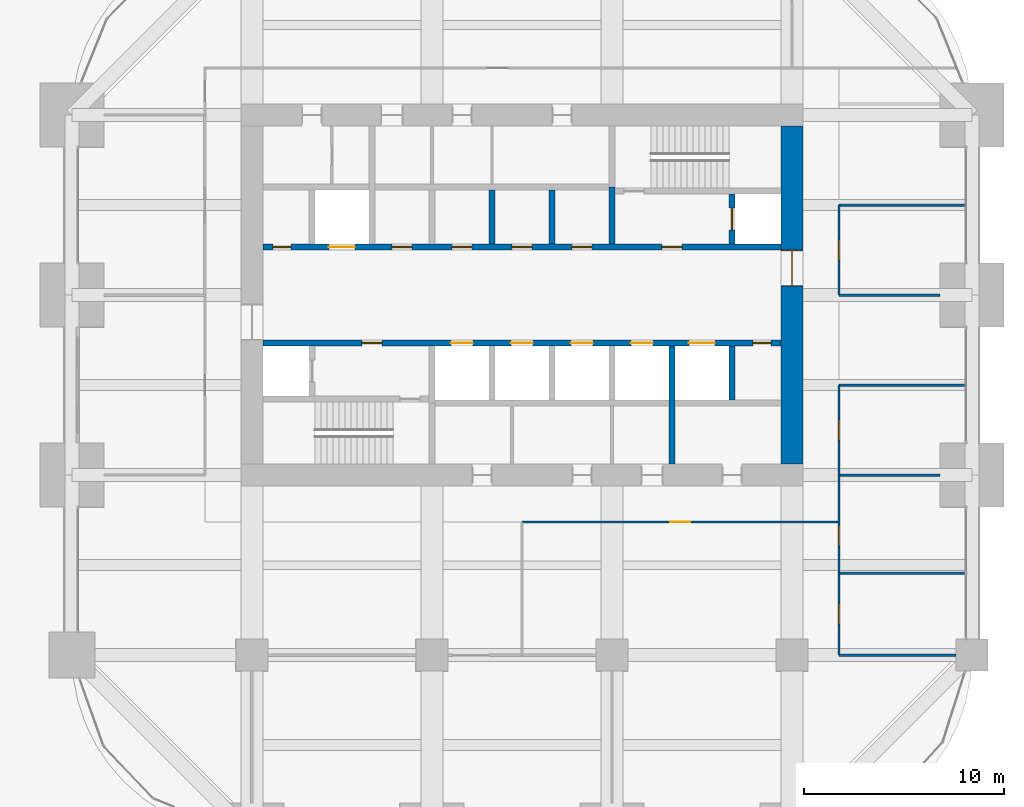
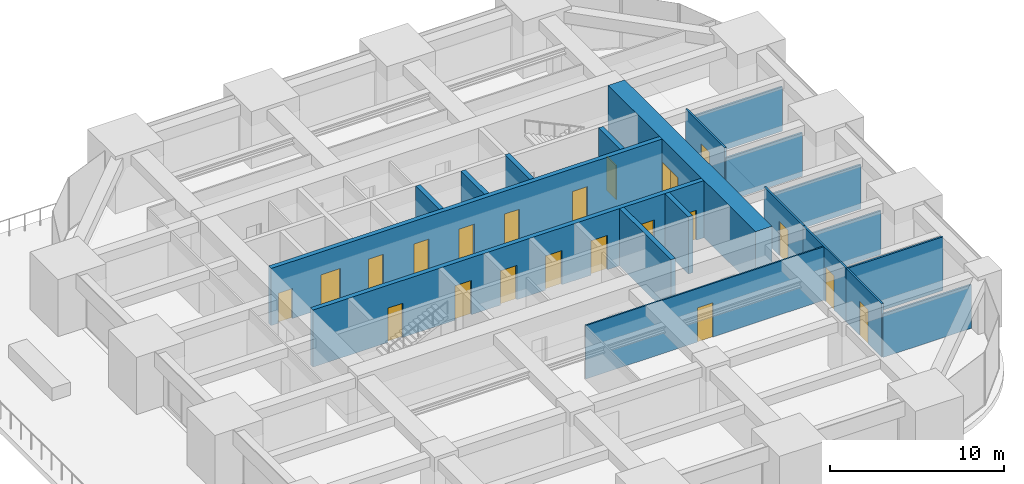
# One storey, part 37 of 40: 21 doors, 20 walls, 21 openings.
"""IFC4 building model written with IfcOpenShell, lengths in metres."""

from ifc_helpers import new_model, si_unit, direction, frame, frame_2d, origin, place, context, subcontext, project, spatial, rectangle, extrude, material, layer, layer_set, type_object, element, fill, save


model = new_model("IFC4")

# Units and contexts
model_context = context("Model", 3, precision=1e-05, world=origin(), true_north=direction((0.0, 1.0)))
body_context = subcontext(model_context, "Body", "Model", "MODEL_VIEW")
ifc_project = project(units=[si_unit("LENGTHUNIT", "METRE"), si_unit("AREAUNIT", "SQUARE_METRE"), si_unit("VOLUMEUNIT", "CUBIC_METRE"), si_unit("PLANEANGLEUNIT", "RADIAN"), si_unit("MASSUNIT", "GRAM", prefix="KILO")], contexts=[model_context])

# Site, building, storey
site_placement = place(None, origin())
site = spatial("IfcSite", under=ifc_project, at=site_placement, CompositionType="ELEMENT")
building_placement = place(site_placement, origin())
building = spatial("IfcBuilding", under=site, at=building_placement, Name="Zorevar Civic Tower", CompositionType="ELEMENT")
storey_placement = place(building_placement, frame((0.0, 0.0, 239.39990234375)))
storey = spatial("IfcBuildingStorey", under=building, at=storey_placement, Name="L58", CompositionType="ELEMENT", Elevation=239.39990234375)

# Wall, opening, door
ifc_material_1 = material(Name="Concrete C50/60", Category="concrete")
ifc_layer_1 = layer(ifc_material_1, 1.10009765625)
ifc_layer_set_1 = layer_set([ifc_layer_1], Name="Core wall 1100")
wall_type_1 = type_object("IfcWallType", Name="Core wall 1100", PredefinedType="SHEAR", material=ifc_layer_set_1)
wall_1_placement = place(storey_placement, frame((45.0, 18.550048828125, 0.0), z_axis=(0.0, 0.0, 1.0), x_axis=(0.0, 1.0, 0.0)))
wall_1 = element("IfcWall", 1, at=wall_1_placement, inside=storey, type_object=wall_type_1, Name="Core wall E L58", PredefinedType="SHEAR", context=body_context, shape_type="SweptSolid", body=[
    extrude(rectangle(XDim=16.89990234375, YDim=1.10009765625, at=frame_2d((8.449951171875, 0.0))), origin(), (0.0, 0.0, 1.0), 4.0),
])
opening_1_placement = place(wall_1_placement, frame((8.89990234375, 0.0, 0.0)))
opening_1 = element("IfcOpeningElement", 2, at=opening_1_placement, cuts=wall_1, Name="Opening L58.02", PredefinedType="OPENING", context=body_context, shape_type="SweptSolid", body=[
    extrude(rectangle(XDim=1.800048828125, YDim=2.39990234375, at=frame_2d((0.89990234375, 1.199951171875))), frame((0.0, 0.56005859375, 0.0), z_axis=(0.0, -1.0, 0.0), x_axis=(1.0, 0.0, 0.0)), (0.0, 0.0, 1.0), 1.1201171875),
])
ifc_material_2 = material(Name="Steel door set", Category="steel")
door_type_1 = type_object("IfcDoorType", Name="Fire door FD2 1800x2400", OperationType="DOUBLE_DOOR_DOUBLE_SWING", PredefinedType="DOOR", material=ifc_material_2)
door_1_placement = place(opening_1_placement, origin())
door_1 = element("IfcDoor", 3, at=door_1_placement, inside=storey, type_object=door_type_1, Name="Door L58 01", OperationType="DOUBLE_DOOR_DOUBLE_SWING", OverallHeight=2.39990234375, OverallWidth=1.800048828125, PredefinedType="DOOR", context=body_context, shape_type="SweptSolid", body=[
    extrude(rectangle(XDim=1.800048828125, YDim=2.39990234375, at=frame_2d((0.89990234375, 1.199951171875))), frame((0.0, 0.030029296875, 0.0), z_axis=(0.0, -1.0, 0.0), x_axis=(1.0, 0.0, 0.0)), (0.0, 0.0, 1.0), 0.06005859375),
    extrude(rectangle(XDim=0.04, YDim=2.39990234375, at=frame_2d((0.02001953125, 1.199951171875))), frame((0.0, 0.5498046875, 0.0), z_axis=(0.0, -1.0, 0.0), x_axis=(1.0, 0.0, 0.0)), (0.0, 0.0, 1.0), 1.099609375),
    extrude(rectangle(XDim=0.04, YDim=2.39990234375, at=frame_2d((1.780029296875, 1.199951171875))), frame((0.0, 0.5498046875, 0.0), z_axis=(0.0, -1.0, 0.0), x_axis=(1.0, 0.0, 0.0)), (0.0, 0.0, 1.0), 1.099609375),
    extrude(rectangle(XDim=1.800048828125, YDim=0.04, at=frame_2d((0.89990234375, 2.3798828125))), frame((0.0, 0.5498046875, 0.0), z_axis=(0.0, -1.0, 0.0), x_axis=(1.0, 0.0, 0.0)), (0.0, 0.0, 1.0), 1.099609375),
])
fill(opening_1, door_1)

ifc_material_3 = material(Name="Laminated glass in black aluminium frame", Category="aluminium")
ifc_layer_2 = layer(ifc_material_3, 0.10009765625)
ifc_layer_set_2 = layer_set([ifc_layer_2], Name="Glazed partition 100")
wall_type_2 = type_object("IfcWallType", Name="Glazed partition 100", PredefinedType="PARTITIONING", material=ifc_layer_set_2)
wall_2_placement = place(storey_placement, frame((31.5, 15.64990234375, 0.0), z_axis=(0.0, 0.0, 1.0), x_axis=(1.0, 0.0, 0.0)))
wall_2 = element("IfcWall", 4, at=wall_2_placement, inside=storey, type_object=wall_type_2, Name="Glazed partition 100 L58", PredefinedType="PARTITIONING", context=body_context, shape_type="SweptSolid", body=[
    extrude(rectangle(XDim=15.840087890625, YDim=0.10009765625, at=frame_2d((7.919921875, 0.0))), origin(), (0.0, 0.0, 1.0), 3.75),
])
opening_2_placement = place(wall_2_placement, frame((7.419921875, 0.0, 0.0)))
opening_2 = element("IfcOpeningElement", 5, at=opening_2_placement, cuts=wall_2, Name="Opening L58.18", PredefinedType="OPENING", context=body_context, shape_type="SweptSolid", body=[
    extrude(rectangle(XDim=1.0, YDim=2.39990234375, at=frame_2d((0.5, 1.199951171875))), frame((0.0, 0.06005859375, 0.0), z_axis=(0.0, -1.0, 0.0), x_axis=(1.0, 0.0, 0.0)), (0.0, 0.0, 1.0), 0.1201171875),
])
ifc_material_4 = material(Name="Timber door set", Category="wood")
door_type_2 = type_object("IfcDoorType", Name="Glazed door GD1 1000x2400", OperationType="SINGLE_SWING_LEFT", PredefinedType="DOOR", material=ifc_material_4)
door_2_placement = place(opening_2_placement, origin())
door_2 = element("IfcDoor", 6, at=door_2_placement, inside=storey, type_object=door_type_2, Name="Door L58 D1", OperationType="SINGLE_SWING_LEFT", OverallHeight=2.39990234375, OverallWidth=1.0, PredefinedType="DOOR", context=body_context, shape_type="SweptSolid", body=[
    extrude(rectangle(XDim=1.0, YDim=2.39990234375, at=frame_2d((0.5, 1.199951171875))), frame((0.0, 0.02001953125, 0.0), z_axis=(0.0, -1.0, 0.0), x_axis=(1.0, 0.0, 0.0)), (0.0, 0.0, 1.0), 0.0400390625),
])
fill(opening_2, door_2)

ifc_material_5 = material(Name="Concrete C40/50", Category="concrete")
ifc_layer_3 = layer(ifc_material_5, 0.300048828125)
ifc_layer_set_3 = layer_set([ifc_layer_3], Name="Inner core wall 300")
wall_type_3 = type_object("IfcWallType", Name="Inner core wall 300", PredefinedType="SHEAR", material=ifc_layer_set_3)
wall_3_placement = place(storey_placement, frame((42.0, 29.550048828125, 0.0), z_axis=(0.0, 0.0, 1.0), x_axis=(0.0, 1.0, 0.0)))
wall_3 = element("IfcWall", 7, at=wall_3_placement, inside=storey, type_object=wall_type_3, Name="Inner core wall N02 L58", PredefinedType="SHEAR", context=body_context, shape_type="SweptSolid", body=[
    extrude(rectangle(XDim=2.5, YDim=0.300048828125, at=frame_2d((1.25, 0.0))), origin(), (0.0, 0.0, 1.0), 4.0),
])
opening_3_placement = place(wall_3_placement, frame((0.699951171875, 0.0, 0.0)))
opening_3 = element("IfcOpeningElement", 8, at=opening_3_placement, cuts=wall_3, Name="Opening L58.FL2", PredefinedType="OPENING", context=body_context, shape_type="SweptSolid", body=[
    extrude(rectangle(XDim=1.10009765625, YDim=2.39990234375, at=frame_2d((0.550048828125, 1.199951171875))), frame((0.0, 0.159912109375, 0.0), z_axis=(0.0, -1.0, 0.0), x_axis=(1.0, 0.0, 0.0)), (0.0, 0.0, 1.0), 0.320068359375),
])
ifc_material_6 = material(Name="Steel door set", Category="steel")
door_type_3 = type_object("IfcDoorType", Name="Firefighting lift landing door LD3 1100x2400", OperationType="DOUBLE_DOOR_SLIDING", PredefinedType="DOOR", material=ifc_material_6)
door_3_placement = place(opening_3_placement, origin())
door_3 = element("IfcDoor", 9, at=door_3_placement, inside=storey, type_object=door_type_3, Name="Landing door FL2 L58", OperationType="DOUBLE_DOOR_SLIDING", OverallHeight=2.39990234375, OverallWidth=1.10009765625, PredefinedType="DOOR", context=body_context, shape_type="SweptSolid", body=[
    extrude(rectangle(XDim=1.10009765625, YDim=2.39990234375, at=frame_2d((0.550048828125, 1.199951171875))), frame((0.0, 0.030029296875, 0.0), z_axis=(0.0, -1.0, 0.0), x_axis=(1.0, 0.0, 0.0)), (0.0, 0.0, 1.0), 0.06005859375),
])
fill(opening_3, door_3)

# Wall, openings, doors
wall_4_placement = place(storey_placement, frame((18.550048828125, 24.60009765625, 0.0), z_axis=(0.0, 0.0, 1.0), x_axis=(1.0, 0.0, 0.0)))
wall_4 = element("IfcWall", 10, at=wall_4_placement, inside=storey, type_object=wall_type_3, Name="Inner core wall S03 L58", PredefinedType="SHEAR", context=body_context, shape_type="SweptSolid", body=[
    extrude(rectangle(XDim=25.89990234375, YDim=0.300048828125, at=frame_2d((12.949951171875, 0.0))), origin(), (0.0, 0.0, 1.0), 4.0),
])
opening_4_placement = place(wall_4_placement, frame((4.949951171875, 0.0, 0.0)))
opening_4 = element("IfcOpeningElement", 11, at=opening_4_placement, cuts=wall_4, Name="Opening L58.13", PredefinedType="OPENING", context=body_context, shape_type="SweptSolid", body=[
    extrude(rectangle(XDim=1.0, YDim=2.39990234375, at=frame_2d((0.5, 1.199951171875))), frame((0.0, 0.159912109375, 0.0), z_axis=(0.0, -1.0, 0.0), x_axis=(1.0, 0.0, 0.0)), (0.0, 0.0, 1.0), 0.320068359375),
])
opening_5_placement = place(wall_4_placement, frame((24.5, 0.0, 0.0)))
opening_5 = element("IfcOpeningElement", 12, at=opening_5_placement, cuts=wall_4, Name="Opening L58.15", PredefinedType="OPENING", context=body_context, shape_type="SweptSolid", body=[
    extrude(rectangle(XDim=0.89990234375, YDim=2.10009765625, at=frame_2d((0.449951171875, 1.050048828125))), frame((0.0, 0.159912109375, 0.0), z_axis=(0.0, -1.0, 0.0), x_axis=(1.0, 0.0, 0.0)), (0.0, 0.0, 1.0), 0.320068359375),
])
opening_6_placement = place(wall_4_placement, frame((9.39990234375, 0.0, 0.0)))
opening_6 = element("IfcOpeningElement", 13, at=opening_6_placement, cuts=wall_4, Name="Opening L58.LT1", PredefinedType="OPENING", context=body_context, shape_type="SweptSolid", body=[
    extrude(rectangle(XDim=1.10009765625, YDim=2.39990234375, at=frame_2d((0.550048828125, 1.199951171875))), frame((0.0, 0.159912109375, 0.0), z_axis=(0.0, -1.0, 0.0), x_axis=(1.0, 0.0, 0.0)), (0.0, 0.0, 1.0), 0.320068359375),
])
opening_7_placement = place(wall_4_placement, frame((12.39990234375, 0.0, 0.0)))
opening_7 = element("IfcOpeningElement", 14, at=opening_7_placement, cuts=wall_4, Name="Opening L58.LT2", PredefinedType="OPENING", context=body_context, shape_type="SweptSolid", body=[
    extrude(rectangle(XDim=1.10009765625, YDim=2.39990234375, at=frame_2d((0.550048828125, 1.199951171875))), frame((0.0, 0.159912109375, 0.0), z_axis=(0.0, -1.0, 0.0), x_axis=(1.0, 0.0, 0.0)), (0.0, 0.0, 1.0), 0.320068359375),
])
opening_8_placement = place(wall_4_placement, frame((15.39990234375, 0.0, 0.0)))
opening_8 = element("IfcOpeningElement", 15, at=opening_8_placement, cuts=wall_4, Name="Opening L58.LT3", PredefinedType="OPENING", context=body_context, shape_type="SweptSolid", body=[
    extrude(rectangle(XDim=1.10009765625, YDim=2.39990234375, at=frame_2d((0.550048828125, 1.199951171875))), frame((0.0, 0.159912109375, 0.0), z_axis=(0.0, -1.0, 0.0), x_axis=(1.0, 0.0, 0.0)), (0.0, 0.0, 1.0), 0.320068359375),
])
opening_9_placement = place(wall_4_placement, frame((18.39990234375, 0.0, 0.0)))
opening_9 = element("IfcOpeningElement", 16, at=opening_9_placement, cuts=wall_4, Name="Opening L58.LT4", PredefinedType="OPENING", context=body_context, shape_type="SweptSolid", body=[
    extrude(rectangle(XDim=1.10009765625, YDim=2.39990234375, at=frame_2d((0.550048828125, 1.199951171875))), frame((0.0, 0.159912109375, 0.0), z_axis=(0.0, -1.0, 0.0), x_axis=(1.0, 0.0, 0.0)), (0.0, 0.0, 1.0), 0.320068359375),
])
opening_10_placement = place(wall_4_placement, frame((21.300048828125, 0.0, 0.0)))
opening_10 = element("IfcOpeningElement", 17, at=opening_10_placement, cuts=wall_4, Name="Opening L58.SL1", PredefinedType="OPENING", context=body_context, shape_type="SweptSolid", body=[
    extrude(rectangle(XDim=1.300048828125, YDim=2.39990234375, at=frame_2d((0.64990234375, 1.199951171875))), frame((0.0, 0.159912109375, 0.0), z_axis=(0.0, -1.0, 0.0), x_axis=(1.0, 0.0, 0.0)), (0.0, 0.0, 1.0), 0.320068359375),
])
ifc_material_7 = material(Name="Steel door set", Category="steel")
door_type_4 = type_object("IfcDoorType", Name="Fire door FD1 1000x2400", OperationType="SINGLE_SWING_LEFT", PredefinedType="DOOR", material=ifc_material_7)
door_4_placement = place(opening_4_placement, origin())
door_4 = element("IfcDoor", 18, at=door_4_placement, inside=storey, type_object=door_type_4, Name="Door L58 12", OperationType="SINGLE_SWING_RIGHT", OverallHeight=2.39990234375, OverallWidth=1.0, PredefinedType="DOOR", context=body_context, shape_type="SweptSolid", body=[
    extrude(rectangle(XDim=1.0, YDim=2.39990234375, at=frame_2d((0.5, 1.199951171875))), frame((0.0, 0.030029296875, 0.0), z_axis=(0.0, -1.0, 0.0), x_axis=(1.0, 0.0, 0.0)), (0.0, 0.0, 1.0), 0.06005859375),
])
fill(opening_4, door_4)
ifc_material_8 = material(Name="Steel door set", Category="steel")
door_type_5 = type_object("IfcDoorType", Name="Landing door LD1 1100x2400", OperationType="DOUBLE_DOOR_SLIDING", PredefinedType="DOOR", material=ifc_material_8)
door_5_placement = place(opening_6_placement, origin())
door_5 = element("IfcDoor", 19, at=door_5_placement, inside=storey, type_object=door_type_5, Name="Landing door LT1 L58", OperationType="DOUBLE_DOOR_SLIDING", OverallHeight=2.39990234375, OverallWidth=1.10009765625, PredefinedType="DOOR", context=body_context, shape_type="SweptSolid", body=[
    extrude(rectangle(XDim=1.10009765625, YDim=2.39990234375, at=frame_2d((0.550048828125, 1.199951171875))), frame((0.0, 0.02001953125, 0.0), z_axis=(0.0, -1.0, 0.0), x_axis=(1.0, 0.0, 0.0)), (0.0, 0.0, 1.0), 0.0400390625),
])
fill(opening_6, door_5)
door_6_placement = place(opening_7_placement, origin())
door_6 = element("IfcDoor", 20, at=door_6_placement, inside=storey, type_object=door_type_5, Name="Landing door LT2 L58", OperationType="DOUBLE_DOOR_SLIDING", OverallHeight=2.39990234375, OverallWidth=1.10009765625, PredefinedType="DOOR", context=body_context, shape_type="SweptSolid", body=[
    extrude(rectangle(XDim=1.10009765625, YDim=2.39990234375, at=frame_2d((0.550048828125, 1.199951171875))), frame((0.0, 0.02001953125, 0.0), z_axis=(0.0, -1.0, 0.0), x_axis=(1.0, 0.0, 0.0)), (0.0, 0.0, 1.0), 0.0400390625),
])
fill(opening_7, door_6)
door_7_placement = place(opening_8_placement, origin())
door_7 = element("IfcDoor", 21, at=door_7_placement, inside=storey, type_object=door_type_5, Name="Landing door LT3 L58", OperationType="DOUBLE_DOOR_SLIDING", OverallHeight=2.39990234375, OverallWidth=1.10009765625, PredefinedType="DOOR", context=body_context, shape_type="SweptSolid", body=[
    extrude(rectangle(XDim=1.10009765625, YDim=2.39990234375, at=frame_2d((0.550048828125, 1.199951171875))), frame((0.0, 0.02001953125, 0.0), z_axis=(0.0, -1.0, 0.0), x_axis=(1.0, 0.0, 0.0)), (0.0, 0.0, 1.0), 0.0400390625),
])
fill(opening_8, door_7)
door_8_placement = place(opening_9_placement, origin())
door_8 = element("IfcDoor", 22, at=door_8_placement, inside=storey, type_object=door_type_5, Name="Landing door LT4 L58", OperationType="DOUBLE_DOOR_SLIDING", OverallHeight=2.39990234375, OverallWidth=1.10009765625, PredefinedType="DOOR", context=body_context, shape_type="SweptSolid", body=[
    extrude(rectangle(XDim=1.10009765625, YDim=2.39990234375, at=frame_2d((0.550048828125, 1.199951171875))), frame((0.0, 0.02001953125, 0.0), z_axis=(0.0, -1.0, 0.0), x_axis=(1.0, 0.0, 0.0)), (0.0, 0.0, 1.0), 0.0400390625),
])
fill(opening_9, door_8)
ifc_material_9 = material(Name="Steel door set", Category="steel")
door_type_6 = type_object("IfcDoorType", Name="Landing door LD2 1300x2400", OperationType="DOUBLE_DOOR_SLIDING", PredefinedType="DOOR", material=ifc_material_9)
door_9_placement = place(opening_10_placement, origin())
door_9 = element("IfcDoor", 23, at=door_9_placement, inside=storey, type_object=door_type_6, Name="Landing door SL1 L58", OperationType="DOUBLE_DOOR_SLIDING", OverallHeight=2.39990234375, OverallWidth=1.300048828125, PredefinedType="DOOR", context=body_context, shape_type="SweptSolid", body=[
    extrude(rectangle(XDim=1.300048828125, YDim=2.39990234375, at=frame_2d((0.64990234375, 1.199951171875))), frame((0.0, 0.02001953125, 0.0), z_axis=(0.0, -1.0, 0.0), x_axis=(1.0, 0.0, 0.0)), (0.0, 0.0, 1.0), 0.0400390625),
])
fill(opening_10, door_9)
ifc_material_10 = material(Name="Steel door set", Category="steel")
door_type_7 = type_object("IfcDoorType", Name="Riser door RD1 900x2100", OperationType="SINGLE_SWING_LEFT", PredefinedType="DOOR", material=ifc_material_10)
door_10_placement = place(opening_5_placement, origin())
door_10 = element("IfcDoor", 24, at=door_10_placement, inside=storey, type_object=door_type_7, Name="Door L58 14", OperationType="SINGLE_SWING_RIGHT", OverallHeight=2.10009765625, OverallWidth=0.89990234375, PredefinedType="DOOR", context=body_context, shape_type="SweptSolid", body=[
    extrude(rectangle(XDim=0.89990234375, YDim=2.10009765625, at=frame_2d((0.449951171875, 1.050048828125))), frame((0.0, 0.030029296875, 0.0), z_axis=(0.0, -1.0, 0.0), x_axis=(1.0, 0.0, 0.0)), (0.0, 0.0, 1.0), 0.06005859375),
])
fill(opening_5, door_10)

wall_5_placement = place(storey_placement, frame((18.550048828125, 29.39990234375, 0.0), z_axis=(0.0, 0.0, 1.0), x_axis=(1.0, 0.0, 0.0)))
wall_5 = element("IfcWall", 25, at=wall_5_placement, inside=storey, type_object=wall_type_3, Name="Inner core wall N03 L58", PredefinedType="SHEAR", context=body_context, shape_type="SweptSolid", body=[
    extrude(rectangle(XDim=25.89990234375, YDim=0.300048828125, at=frame_2d((12.949951171875, 0.0))), origin(), (0.0, 0.0, 1.0), 4.0),
])
opening_11_placement = place(wall_5_placement, frame((19.949951171875, 0.0, 0.0)))
opening_11 = element("IfcOpeningElement", 26, at=opening_11_placement, cuts=wall_5, Name="Opening L58.14", PredefinedType="OPENING", context=body_context, shape_type="SweptSolid", body=[
    extrude(rectangle(XDim=1.0, YDim=2.39990234375, at=frame_2d((0.5, 1.199951171875))), frame((0.0, 0.159912109375, 0.0), z_axis=(0.0, -1.0, 0.0), x_axis=(1.0, 0.0, 0.0)), (0.0, 0.0, 1.0), 0.320068359375),
])
opening_12_placement = place(wall_5_placement, frame((0.5, 0.0, 0.0)))
opening_12 = element("IfcOpeningElement", 27, at=opening_12_placement, cuts=wall_5, Name="Opening L58.16", PredefinedType="OPENING", context=body_context, shape_type="SweptSolid", body=[
    extrude(rectangle(XDim=0.89990234375, YDim=2.10009765625, at=frame_2d((0.449951171875, 1.050048828125))), frame((0.0, 0.159912109375, 0.0), z_axis=(0.0, -1.0, 0.0), x_axis=(1.0, 0.0, 0.0)), (0.0, 0.0, 1.0), 0.320068359375),
])
opening_13_placement = place(wall_5_placement, frame((15.449951171875, 0.0, 0.0)))
opening_13 = element("IfcOpeningElement", 28, at=opening_13_placement, cuts=wall_5, Name="Opening L58.29", PredefinedType="OPENING", context=body_context, shape_type="SweptSolid", body=[
    extrude(rectangle(XDim=1.0, YDim=2.39990234375, at=frame_2d((0.5, 1.199951171875))), frame((0.0, 0.159912109375, 0.0), z_axis=(0.0, -1.0, 0.0), x_axis=(1.0, 0.0, 0.0)), (0.0, 0.0, 1.0), 0.320068359375),
])
opening_14_placement = place(wall_5_placement, frame((12.449951171875, 0.0, 0.0)))
opening_14 = element("IfcOpeningElement", 29, at=opening_14_placement, cuts=wall_5, Name="Opening L58.30", PredefinedType="OPENING", context=body_context, shape_type="SweptSolid", body=[
    extrude(rectangle(XDim=1.0, YDim=2.39990234375, at=frame_2d((0.5, 1.199951171875))), frame((0.0, 0.159912109375, 0.0), z_axis=(0.0, -1.0, 0.0), x_axis=(1.0, 0.0, 0.0)), (0.0, 0.0, 1.0), 0.320068359375),
])
opening_15_placement = place(wall_5_placement, frame((9.449951171875, 0.0, 0.0)))
opening_15 = element("IfcOpeningElement", 30, at=opening_15_placement, cuts=wall_5, Name="Opening L58.31", PredefinedType="OPENING", context=body_context, shape_type="SweptSolid", body=[
    extrude(rectangle(XDim=1.0, YDim=2.39990234375, at=frame_2d((0.5, 1.199951171875))), frame((0.0, 0.159912109375, 0.0), z_axis=(0.0, -1.0, 0.0), x_axis=(1.0, 0.0, 0.0)), (0.0, 0.0, 1.0), 0.320068359375),
])
opening_16_placement = place(wall_5_placement, frame((6.449951171875, 0.0, 0.0)))
opening_16 = element("IfcOpeningElement", 31, at=opening_16_placement, cuts=wall_5, Name="Opening L58.32", PredefinedType="OPENING", context=body_context, shape_type="SweptSolid", body=[
    extrude(rectangle(XDim=1.0, YDim=2.39990234375, at=frame_2d((0.5, 1.199951171875))), frame((0.0, 0.159912109375, 0.0), z_axis=(0.0, -1.0, 0.0), x_axis=(1.0, 0.0, 0.0)), (0.0, 0.0, 1.0), 0.320068359375),
])
opening_17_placement = place(wall_5_placement, frame((3.300048828125, 0.0, 0.0)))
opening_17 = element("IfcOpeningElement", 32, at=opening_17_placement, cuts=wall_5, Name="Opening L58.SL2", PredefinedType="OPENING", context=body_context, shape_type="SweptSolid", body=[
    extrude(rectangle(XDim=1.300048828125, YDim=2.39990234375, at=frame_2d((0.64990234375, 1.199951171875))), frame((0.0, 0.159912109375, 0.0), z_axis=(0.0, -1.0, 0.0), x_axis=(1.0, 0.0, 0.0)), (0.0, 0.0, 1.0), 0.320068359375),
])
door_11_placement = place(opening_11_placement, origin())
door_11 = element("IfcDoor", 33, at=door_11_placement, inside=storey, type_object=door_type_4, Name="Door L58 13", OperationType="SINGLE_SWING_RIGHT", OverallHeight=2.39990234375, OverallWidth=1.0, PredefinedType="DOOR", context=body_context, shape_type="SweptSolid", body=[
    extrude(rectangle(XDim=1.0, YDim=2.39990234375, at=frame_2d((0.5, 1.199951171875))), frame((0.0, 0.030029296875, 0.0), z_axis=(0.0, -1.0, 0.0), x_axis=(1.0, 0.0, 0.0)), (0.0, 0.0, 1.0), 0.06005859375),
])
fill(opening_11, door_11)
door_12_placement = place(opening_13_placement, origin())
door_12 = element("IfcDoor", 34, at=door_12_placement, inside=storey, type_object=door_type_4, Name="Door L58 LM1 shaft room", OperationType="SINGLE_SWING_LEFT", OverallHeight=2.39990234375, OverallWidth=1.0, PredefinedType="DOOR", context=body_context, shape_type="SweptSolid", body=[
    extrude(rectangle(XDim=1.0, YDim=2.39990234375, at=frame_2d((0.5, 1.199951171875))), frame((0.0, 0.030029296875, 0.0), z_axis=(0.0, -1.0, 0.0), x_axis=(1.0, 0.0, 0.0)), (0.0, 0.0, 1.0), 0.06005859375),
])
fill(opening_13, door_12)
door_13_placement = place(opening_14_placement, origin())
door_13 = element("IfcDoor", 35, at=door_13_placement, inside=storey, type_object=door_type_4, Name="Door L58 LM2 shaft room", OperationType="SINGLE_SWING_LEFT", OverallHeight=2.39990234375, OverallWidth=1.0, PredefinedType="DOOR", context=body_context, shape_type="SweptSolid", body=[
    extrude(rectangle(XDim=1.0, YDim=2.39990234375, at=frame_2d((0.5, 1.199951171875))), frame((0.0, 0.030029296875, 0.0), z_axis=(0.0, -1.0, 0.0), x_axis=(1.0, 0.0, 0.0)), (0.0, 0.0, 1.0), 0.06005859375),
])
fill(opening_14, door_13)
door_14_placement = place(opening_15_placement, origin())
door_14 = element("IfcDoor", 36, at=door_14_placement, inside=storey, type_object=door_type_4, Name="Door L58 LH1 shaft room", OperationType="SINGLE_SWING_RIGHT", OverallHeight=2.39990234375, OverallWidth=1.0, PredefinedType="DOOR", context=body_context, shape_type="SweptSolid", body=[
    extrude(rectangle(XDim=1.0, YDim=2.39990234375, at=frame_2d((0.5, 1.199951171875))), frame((0.0, 0.030029296875, 0.0), z_axis=(0.0, -1.0, 0.0), x_axis=(1.0, 0.0, 0.0)), (0.0, 0.0, 1.0), 0.06005859375),
])
fill(opening_15, door_14)
door_15_placement = place(opening_16_placement, origin())
door_15 = element("IfcDoor", 37, at=door_15_placement, inside=storey, type_object=door_type_4, Name="Door L58 LH2 shaft room", OperationType="SINGLE_SWING_RIGHT", OverallHeight=2.39990234375, OverallWidth=1.0, PredefinedType="DOOR", context=body_context, shape_type="SweptSolid", body=[
    extrude(rectangle(XDim=1.0, YDim=2.39990234375, at=frame_2d((0.5, 1.199951171875))), frame((0.0, 0.030029296875, 0.0), z_axis=(0.0, -1.0, 0.0), x_axis=(1.0, 0.0, 0.0)), (0.0, 0.0, 1.0), 0.06005859375),
])
fill(opening_16, door_15)
door_16_placement = place(opening_17_placement, origin())
door_16 = element("IfcDoor", 38, at=door_16_placement, inside=storey, type_object=door_type_6, Name="Landing door SL2 L58", OperationType="DOUBLE_DOOR_SLIDING", OverallHeight=2.39990234375, OverallWidth=1.300048828125, PredefinedType="DOOR", context=body_context, shape_type="SweptSolid", body=[
    extrude(rectangle(XDim=1.300048828125, YDim=2.39990234375, at=frame_2d((0.64990234375, 1.199951171875))), frame((0.0, 0.02001953125, 0.0), z_axis=(0.0, -1.0, 0.0), x_axis=(1.0, 0.0, 0.0)), (0.0, 0.0, 1.0), 0.0400390625),
])
fill(opening_17, door_16)
door_17_placement = place(opening_12_placement, origin())
door_17 = element("IfcDoor", 39, at=door_17_placement, inside=storey, type_object=door_type_7, Name="Door L58 15", OperationType="SINGLE_SWING_RIGHT", OverallHeight=2.10009765625, OverallWidth=0.89990234375, PredefinedType="DOOR", context=body_context, shape_type="SweptSolid", body=[
    extrude(rectangle(XDim=0.89990234375, YDim=2.10009765625, at=frame_2d((0.449951171875, 1.050048828125))), frame((0.0, 0.030029296875, 0.0), z_axis=(0.0, -1.0, 0.0), x_axis=(1.0, 0.0, 0.0)), (0.0, 0.0, 1.0), 0.06005859375),
])
fill(opening_12, door_17)

# Walls
for number, where, z_axis, x_axis, name in (
    (40, (33.0, 29.550048828125, 0.0), (0.0, 0.0, 1.0), (0.0, 1.0, 0.0), "Inner core wall N05 L58"),
    (41, (30.0, 29.550048828125, 0.0), (0.0, 0.0, 1.0), (0.0, 1.0, 0.0), "Inner core wall N06 L58"),
):
    element("IfcWall", number, at=place(storey_placement, frame(where, z_axis=z_axis, x_axis=x_axis)), inside=storey, type_object=wall_type_3, Name=name, PredefinedType="SHEAR", context=body_context, shape_type="SweptSolid", body=[
        extrude(rectangle(XDim=2.699951171875, YDim=0.300048828125, at=frame_2d((1.35009765625, 0.0))), origin(), (0.0, 0.0, 1.0), 4.0),
    ])
wall_6_placement = place(storey_placement, frame((39.0, 18.550048828125, 0.0), z_axis=(0.0, 0.0, 1.0), x_axis=(0.0, 1.0, 0.0)))
element("IfcWall", 42, at=wall_6_placement, inside=storey, type_object=wall_type_3, Name="Inner core wall S08 L58", PredefinedType="SHEAR", context=body_context, shape_type="SweptSolid", body=[
    extrude(rectangle(XDim=5.89990234375, YDim=0.300048828125, at=frame_2d((2.949951171875, 0.0))), origin(), (0.0, 0.0, 1.0), 4.0),
])
wall_7_placement = place(storey_placement, frame((42.0, 21.75, 0.0), z_axis=(0.0, 0.0, 1.0), x_axis=(0.0, 1.0, 0.0)))
element("IfcWall", 43, at=wall_7_placement, inside=storey, type_object=wall_type_3, Name="Inner core wall S09 L58", PredefinedType="SHEAR", context=body_context, shape_type="SweptSolid", body=[
    extrude(rectangle(XDim=2.699951171875, YDim=0.300048828125, at=frame_2d((1.35009765625, 0.0))), origin(), (0.0, 0.0, 1.0), 4.0),
])
wall_8_placement = place(storey_placement, frame((36.0, 29.550048828125, 0.0), z_axis=(0.0, 0.0, 1.0), x_axis=(0.0, 1.0, 0.0)))
element("IfcWall", 44, at=wall_8_placement, inside=storey, type_object=wall_type_3, Name="Inner core wall N10 L58", PredefinedType="SHEAR", context=body_context, shape_type="SweptSolid", body=[
    extrude(rectangle(XDim=2.849853515625, YDim=0.300048828125, at=frame_2d((1.4248046875, 0.0))), origin(), (0.0, 0.0, 1.0), 4.0),
])
ifc_material_11 = material(Name="Gypsum board on steel studs", Category="steel")
ifc_layer_4 = layer(ifc_material_11, 0.1201171875)
ifc_layer_set_4 = layer_set([ifc_layer_4], Name="Partition 120")
wall_type_4 = type_object("IfcWallType", Name="Partition 120", PredefinedType="PARTITIONING", material=ifc_layer_set_4)
wall_9_placement = place(storey_placement, frame((47.35009765625, 9.0, 0.0), z_axis=(0.0, 0.0, 1.0), x_axis=(1.0, 0.0, 0.0)))
element("IfcWall", 45, at=wall_9_placement, inside=storey, type_object=wall_type_4, Name="Partition 120 L58", PredefinedType="PARTITIONING", context=body_context, shape_type="SweptSolid", body=[
    extrude(rectangle(XDim=5.849853515625, YDim=0.1201171875, at=frame_2d((2.9248046875, 0.0))), origin(), (0.0, 0.0, 1.0), 3.050048828125),
])
wall_10_placement = place(storey_placement, frame((47.35009765625, 13.10009765625, 0.0), z_axis=(0.0, 0.0, 1.0), x_axis=(1.0, 0.0, 0.0)))
element("IfcWall", 46, at=wall_10_placement, inside=storey, type_object=wall_type_4, Name="Partition 120 L58", PredefinedType="PARTITIONING", context=body_context, shape_type="SweptSolid", body=[
    extrude(rectangle(XDim=6.33984375, YDim=0.1201171875, at=frame_2d((3.169921875, 0.0))), origin(), (0.0, 0.0, 1.0), 3.75),
])
wall_11_placement = place(storey_placement, frame((47.35009765625, 18.0, 0.0), z_axis=(0.0, 0.0, 1.0), x_axis=(1.0, 0.0, 0.0)))
element("IfcWall", 47, at=wall_11_placement, inside=storey, type_object=wall_type_4, Name="Partition 120 L58", PredefinedType="PARTITIONING", context=body_context, shape_type="SweptSolid", body=[
    extrude(rectangle(XDim=5.0498046875, YDim=0.1201171875, at=frame_2d((2.52490234375, 0.0))), origin(), (0.0, 0.0, 1.0), 3.050048828125),
])
wall_12_placement = place(storey_placement, frame((47.35009765625, 22.5, 0.0), z_axis=(0.0, 0.0, 1.0), x_axis=(1.0, 0.0, 0.0)))
element("IfcWall", 48, at=wall_12_placement, inside=storey, type_object=wall_type_4, Name="Partition 120 L58", PredefinedType="PARTITIONING", context=body_context, shape_type="SweptSolid", body=[
    extrude(rectangle(XDim=6.33984375, YDim=0.1201171875, at=frame_2d((3.169921875, 0.0))), origin(), (0.0, 0.0, 1.0), 3.10009765625),
])
wall_13_placement = place(storey_placement, frame((47.35009765625, 27.0, 0.0), z_axis=(0.0, 0.0, 1.0), x_axis=(1.0, 0.0, 0.0)))
element("IfcWall", 49, at=wall_13_placement, inside=storey, type_object=wall_type_4, Name="Partition 120 L58", PredefinedType="PARTITIONING", context=body_context, shape_type="SweptSolid", body=[
    extrude(rectangle(XDim=5.0498046875, YDim=0.1201171875, at=frame_2d((2.52490234375, 0.0))), origin(), (0.0, 0.0, 1.0), 3.050048828125),
])
wall_14_placement = place(storey_placement, frame((47.35009765625, 31.5, 0.0), z_axis=(0.0, 0.0, 1.0), x_axis=(1.0, 0.0, 0.0)))
element("IfcWall", 50, at=wall_14_placement, inside=storey, type_object=wall_type_4, Name="Partition 120 L58", PredefinedType="PARTITIONING", context=body_context, shape_type="SweptSolid", body=[
    extrude(rectangle(XDim=6.33984375, YDim=0.1201171875, at=frame_2d((3.169921875, 0.0))), origin(), (0.0, 0.0, 1.0), 3.10009765625),
])

# Wall, opening, door
wall_15_placement = place(storey_placement, frame((47.35009765625, 9.0, 0.0), z_axis=(0.0, 0.0, 1.0), x_axis=(0.0, 1.0, 0.0)))
wall_15 = element("IfcWall", 51, at=wall_15_placement, inside=storey, type_object=wall_type_4, Name="Partition 120 L58", PredefinedType="PARTITIONING", context=body_context, shape_type="SweptSolid", body=[
    extrude(rectangle(XDim=4.10009765625, YDim=0.1201171875, at=frame_2d((2.050048828125, 0.0))), origin(), (0.0, 0.0, 1.0), 3.75),
])
opening_18_placement = place(wall_15_placement, frame((1.550048828125, 0.0, 0.0)))
opening_18 = element("IfcOpeningElement", 52, at=opening_18_placement, cuts=wall_15, Name="Opening L58.24", PredefinedType="OPENING", context=body_context, shape_type="SweptSolid", body=[
    extrude(rectangle(XDim=1.0, YDim=2.39990234375, at=frame_2d((0.5, 1.199951171875))), frame((0.0, 0.070068359375, 0.0), z_axis=(0.0, -1.0, 0.0), x_axis=(1.0, 0.0, 0.0)), (0.0, 0.0, 1.0), 0.14013671875),
])
ifc_material_12 = material(Name="Timber door set", Category="wood")
door_type_8 = type_object("IfcDoorType", Name="Door D1 1000x2400", OperationType="SINGLE_SWING_LEFT", PredefinedType="DOOR", material=ifc_material_12)
door_18_placement = place(opening_18_placement, origin())
door_18 = element("IfcDoor", 53, at=door_18_placement, inside=storey, type_object=door_type_8, Name="Door L58 D1", OperationType="SINGLE_SWING_LEFT", OverallHeight=2.39990234375, OverallWidth=1.0, PredefinedType="DOOR", context=body_context, shape_type="SweptSolid", body=[
    extrude(rectangle(XDim=1.0, YDim=2.39990234375, at=frame_2d((0.5, 1.199951171875))), frame((0.0, 0.02490234375, 0.0), z_axis=(0.0, -1.0, 0.0), x_axis=(1.0, 0.0, 0.0)), (0.0, 0.0, 1.0), 0.050048828125),
])
fill(opening_18, door_18)

wall_16_placement = place(storey_placement, frame((47.35009765625, 13.10009765625, 0.0), z_axis=(0.0, 0.0, 1.0), x_axis=(0.0, 1.0, 0.0)))
wall_16 = element("IfcWall", 54, at=wall_16_placement, inside=storey, type_object=wall_type_4, Name="Partition 120 L58", PredefinedType="PARTITIONING", context=body_context, shape_type="SweptSolid", body=[
    extrude(rectangle(XDim=4.89990234375, YDim=0.1201171875, at=frame_2d((2.449951171875, 0.0))), origin(), (0.0, 0.0, 1.0), 3.75),
])
opening_19_placement = place(wall_16_placement, frame((1.35009765625, 0.0, 0.0)))
opening_19 = element("IfcOpeningElement", 55, at=opening_19_placement, cuts=wall_16, Name="Opening L58.25", PredefinedType="OPENING", context=body_context, shape_type="SweptSolid", body=[
    extrude(rectangle(XDim=1.0, YDim=2.39990234375, at=frame_2d((0.5, 1.199951171875))), frame((0.0, 0.070068359375, 0.0), z_axis=(0.0, -1.0, 0.0), x_axis=(1.0, 0.0, 0.0)), (0.0, 0.0, 1.0), 0.14013671875),
])
door_19_placement = place(opening_19_placement, origin())
door_19 = element("IfcDoor", 56, at=door_19_placement, inside=storey, type_object=door_type_8, Name="Door L58 D1", OperationType="SINGLE_SWING_RIGHT", OverallHeight=2.39990234375, OverallWidth=1.0, PredefinedType="DOOR", context=body_context, shape_type="SweptSolid", body=[
    extrude(rectangle(XDim=1.0, YDim=2.39990234375, at=frame_2d((0.5, 1.199951171875))), frame((0.0, 0.02490234375, 0.0), z_axis=(0.0, -1.0, 0.0), x_axis=(1.0, 0.0, 0.0)), (0.0, 0.0, 1.0), 0.050048828125),
])
fill(opening_19, door_19)

wall_17_placement = place(storey_placement, frame((47.35009765625, 18.0, 0.0), z_axis=(0.0, 0.0, 1.0), x_axis=(0.0, 1.0, 0.0)))
wall_17 = element("IfcWall", 57, at=wall_17_placement, inside=storey, type_object=wall_type_4, Name="Partition 120 L58", PredefinedType="PARTITIONING", context=body_context, shape_type="SweptSolid", body=[
    extrude(rectangle(XDim=4.5, YDim=0.1201171875, at=frame_2d((2.25, 0.0))), origin(), (0.0, 0.0, 1.0), 3.75),
])
opening_20_placement = place(wall_17_placement, frame((1.75, 0.0, 0.0)))
opening_20 = element("IfcOpeningElement", 58, at=opening_20_placement, cuts=wall_17, Name="Opening L58.26", PredefinedType="OPENING", context=body_context, shape_type="SweptSolid", body=[
    extrude(rectangle(XDim=1.0, YDim=2.39990234375, at=frame_2d((0.5, 1.199951171875))), frame((0.0, 0.070068359375, 0.0), z_axis=(0.0, -1.0, 0.0), x_axis=(1.0, 0.0, 0.0)), (0.0, 0.0, 1.0), 0.14013671875),
])
door_20_placement = place(opening_20_placement, origin())
door_20 = element("IfcDoor", 59, at=door_20_placement, inside=storey, type_object=door_type_8, Name="Door L58 D1", OperationType="SINGLE_SWING_RIGHT", OverallHeight=2.39990234375, OverallWidth=1.0, PredefinedType="DOOR", context=body_context, shape_type="SweptSolid", body=[
    extrude(rectangle(XDim=1.0, YDim=2.39990234375, at=frame_2d((0.5, 1.199951171875))), frame((0.0, 0.02490234375, 0.0), z_axis=(0.0, -1.0, 0.0), x_axis=(1.0, 0.0, 0.0)), (0.0, 0.0, 1.0), 0.050048828125),
])
fill(opening_20, door_20)

wall_18_placement = place(storey_placement, frame((47.35009765625, 27.0, 0.0), z_axis=(0.0, 0.0, 1.0), x_axis=(0.0, 1.0, 0.0)))
wall_18 = element("IfcWall", 60, at=wall_18_placement, inside=storey, type_object=wall_type_4, Name="Partition 120 L58", PredefinedType="PARTITIONING", context=body_context, shape_type="SweptSolid", body=[
    extrude(rectangle(XDim=4.5, YDim=0.1201171875, at=frame_2d((2.25, 0.0))), origin(), (0.0, 0.0, 1.0), 3.75),
])
opening_21_placement = place(wall_18_placement, frame((1.75, 0.0, 0.0)))
opening_21 = element("IfcOpeningElement", 61, at=opening_21_placement, cuts=wall_18, Name="Opening L58.27", PredefinedType="OPENING", context=body_context, shape_type="SweptSolid", body=[
    extrude(rectangle(XDim=1.0, YDim=2.39990234375, at=frame_2d((0.5, 1.199951171875))), frame((0.0, 0.070068359375, 0.0), z_axis=(0.0, -1.0, 0.0), x_axis=(1.0, 0.0, 0.0)), (0.0, 0.0, 1.0), 0.14013671875),
])
door_21_placement = place(opening_21_placement, origin())
door_21 = element("IfcDoor", 62, at=door_21_placement, inside=storey, type_object=door_type_8, Name="Door L58 D1", OperationType="SINGLE_SWING_LEFT", OverallHeight=2.39990234375, OverallWidth=1.0, PredefinedType="DOOR", context=body_context, shape_type="SweptSolid", body=[
    extrude(rectangle(XDim=1.0, YDim=2.39990234375, at=frame_2d((0.5, 1.199951171875))), frame((0.0, 0.02490234375, 0.0), z_axis=(0.0, -1.0, 0.0), x_axis=(1.0, 0.0, 0.0)), (0.0, 0.0, 1.0), 0.050048828125),
])
fill(opening_21, door_21)

save(model, "model.ifc")
